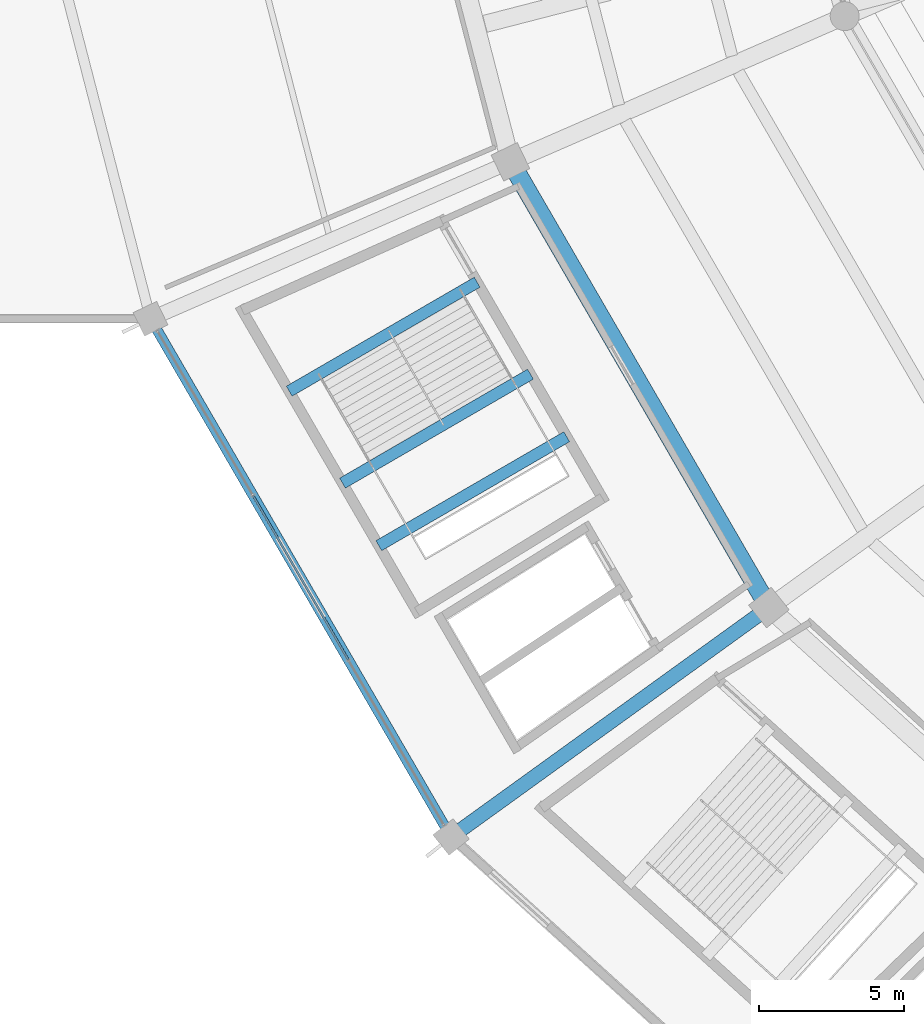
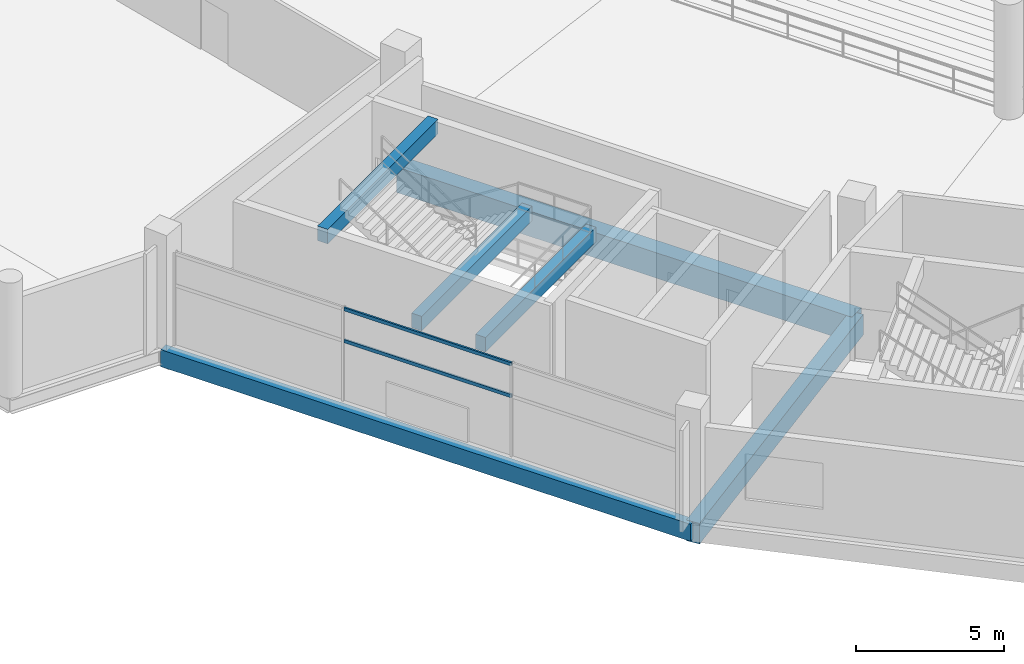
# One storey, part 8 of 156: 6 beams, 2 members, 1 element without a shape of its own.
"""IFC4 building model written with IfcOpenShell, lengths in metres."""

from ifc_helpers import new_model, si_unit, direction, frame, origin, origin_2d, place, context, subcontext, project, spatial, rectangle, hollow_rectangle, extrude, material, layer, layer_set, material_profile, profile_set, type_object, element, aggregate, save


model = new_model("IFC4")

# Units and contexts
model_context = context("Model", 3, precision=1e-05, world=origin(), true_north=direction((0.0, 1.0)))
body_context = subcontext(model_context, "Body", "Model", "MODEL_VIEW")
ifc_project = project(units=[si_unit("LENGTHUNIT", "METRE"), si_unit("AREAUNIT", "SQUARE_METRE"), si_unit("VOLUMEUNIT", "CUBIC_METRE"), si_unit("PLANEANGLEUNIT", "RADIAN"), si_unit("MASSUNIT", "GRAM", prefix="KILO")], contexts=[model_context])

# Site, building, storey
site_placement = place(None, origin())
site = spatial("IfcSite", under=ifc_project, at=site_placement, CompositionType="ELEMENT")
building_placement = place(site_placement, origin())
building = spatial("IfcBuilding", under=site, at=building_placement, Name="Kazemori Nagisa Stadium", CompositionType="ELEMENT")
storey_placement = place(building_placement, frame((0.0, 0.0, 5.780029296875)))
storey = spatial("IfcBuildingStorey", under=building, at=storey_placement, Name="L01", CompositionType="ELEMENT", Elevation=5.780029296875)

# Beams
ifc_material_1 = material(Name="Concrete C40/50 (Fc42)", Category="concrete")
ifc_material_profile_1 = material_profile(ifc_material_1, rectangle(XDim=0.39990234375, YDim=0.60009765625, at=origin_2d()), Name="RC-BM-400x600")
ifc_profile_set_1 = profile_set([ifc_material_profile_1], Name="Concrete C40/50 (Fc42)")
beam_type_1 = type_object("IfcBeamType", Name="Beam_BG-LND400X600", PredefinedType="BEAM", material=ifc_profile_set_1)
beam_1_placement = place(storey_placement, frame((47.251708984375, 61.33544921875, 1.8798828125), z_axis=(-0.865094639125, -0.501608677514, 0.0), x_axis=(0.501608677514, -0.865094639125, 0.0)))
element("IfcBeam", 1, at=beam_1_placement, inside=storey, type_object=beam_type_1, Name="Core stair mid-landing girder ST09-L01-1", PredefinedType="BEAM", context=body_context, shape_type="SweptSolid", body=[
    extrude(rectangle(XDim=0.39990234375, YDim=0.60009765625, at=origin_2d()), origin(), (0.0, 0.0, 1.0), 7.513916015625),
])
for number, where, z_axis, x_axis, name in (
    (2, (48.505615234375, 59.172607421875, 1.8798828125), (-0.865100563486, -0.501598459981, 0.0), (0.501598459981, -0.865100563486, 0.0), "Core stair mid-landing girder ST09-L01-2"),
    (3, (45.408203125, 64.5146484375, 4.199951171875), (-0.865086463473, -0.50162277731, 0.0), (0.50162277731, -0.865086463473, 0.0), "Core stair arrival header girder ST09-L01"),
):
    element("IfcBeam", number, at=place(storey_placement, frame(where, z_axis=z_axis, x_axis=x_axis)), inside=storey, type_object=beam_type_1, Name=name, PredefinedType="BEAM", context=body_context, shape_type="SweptSolid", body=[
        extrude(rectangle(XDim=0.39990234375, YDim=0.60009765625, at=origin_2d()), origin(), (0.0, 0.0, 1.0), 7.513671875),
    ])
ifc_material_profile_2 = material_profile(ifc_material_1, rectangle(XDim=0.5, YDim=0.85009765625, at=origin_2d()), Name="RC-BM-500x850")
ifc_profile_set_2 = profile_set([ifc_material_profile_2], Name="Concrete C40/50 (Fc42)")
beam_type_2 = type_object("IfcBeamType", Name="Beam_BG-RC500X850", PredefinedType="BEAM", material=ifc_profile_set_2)
beam_2_placement = place(storey_placement, frame((55.493896484375, 53.265869140625, -0.705078125), z_axis=(-0.810787509935, -0.585340596349, 0.0), x_axis=(0.585340596349, -0.810787509935, 0.0)))
element("IfcBeam", 4, at=beam_2_placement, inside=storey, type_object=beam_type_2, Name="Radial girder BG-RC500X850 L01 R2-R3-18", PredefinedType="BEAM", context=body_context, shape_type="SweptSolid", body=[
    extrude(rectangle(XDim=0.5, YDim=0.85009765625, at=origin_2d()), origin(), (0.0, 0.0, 1.0), 13.5537109375),
])
ifc_material_profile_3 = material_profile(ifc_material_1, rectangle(XDim=0.64990234375, YDim=1.050048828125, at=origin_2d()), Name="RC-BM-650x1050")
ifc_profile_set_3 = profile_set([ifc_material_profile_3], Name="Concrete C40/50 (Fc42)")
beam_type_3 = type_object("IfcBeamType", Name="Beam_BG-RC650X1050", PredefinedType="BEAM", material=ifc_profile_set_3)
beam_3_placement = place(storey_placement, frame((46.55908203125, 68.67529296875, -0.804931640625), z_axis=(0.501606704589, -0.865095783085, 0.0), x_axis=(0.865095783085, 0.501606704589, 0.0)))
element("IfcBeam", 5, at=beam_3_placement, inside=storey, type_object=beam_type_3, Name="Ring girder BG-RC650X1050 L01 R2-17", PredefinedType="BEAM", context=body_context, shape_type="SweptSolid", body=[
    extrude(rectangle(XDim=0.64990234375, YDim=1.050048828125, at=origin_2d()), origin(), (0.0, 0.0, 1.0), 17.8125),
])
ifc_material_profile_4 = material_profile(ifc_material_1, rectangle(XDim=0.35009765625, YDim=0.699951171875, at=origin_2d()), Name="RC-SP-350x700")
ifc_profile_set_4 = profile_set([ifc_material_profile_4], Name="Concrete C40/50 (Fc42)")
beam_type_4 = type_object("IfcBeamType", Name="Beam_BS-RC350X700", PredefinedType="SPANDREL", material=ifc_profile_set_4)
beam_4_placement = place(storey_placement, frame((34.114990234375, 63.25048828125, -0.630126953125), z_axis=(0.50161277459, -0.8650922635, 0.0), x_axis=(0.8650922635, 0.50161277459, 0.0)))
element("IfcBeam", 6, at=beam_4_placement, inside=storey, type_object=beam_type_4, Name="Ring girder BS-RC350X700 L01 R3-17", PredefinedType="SPANDREL", context=body_context, shape_type="SweptSolid", body=[
    extrude(rectangle(XDim=0.35009765625, YDim=0.699951171875, at=origin_2d()), origin(), (0.0, 0.0, 1.0), 20.71240234375),
])

# Curtain wall, members
ifc_material_2 = material(Name="Anodised aluminium 6063-T5", Category="aluminium")
ifc_layer = layer(ifc_material_2, 0.179931640625, Name="Anodised aluminium 6063-T5", Category="aluminium")
ifc_layer_set = layer_set([ifc_layer], Name="Anodised aluminium 6063-T5")
curtain_wall_type = type_object("IfcCurtainWallType", Name="CW_L01R3_99", PredefinedType="USERDEFINED", material=ifc_layer_set)
curtain_wall_placement = place(storey_placement, origin())
curtain_wall = element("IfcCurtainWall", 7, at=curtain_wall_placement, inside=storey, type_object=curtain_wall_type, Name="Unitised curtain wall CW-L01R3-99 L01", ObjectType="UNITISED CURTAIN WALL", PredefinedType="USERDEFINED")
ifc_material_3 = material(Name="Aluminium 6063-T5 anodised", Category="aluminium")
ifc_material_profile_5 = material_profile(ifc_material_3, hollow_rectangle(XDim=0.070068359375, YDim=0.139892578125, WallThickness=0.00390625, at=origin_2d()), Name="ALU-TRAN-70x140x4")
ifc_profile_set_5 = profile_set([ifc_material_profile_5], Name="Aluminium 6063-T5 anodised")
member_type = type_object("IfcMemberType", Name="Transom_T01", PredefinedType="USERDEFINED", material=ifc_profile_set_5)
member_1_placement = place(storey_placement, frame((37.667724609375, 57.12353515625, 2.4638671875), z_axis=(0.501590295943, -0.865105297069, 0.0), x_axis=(0.865105297069, 0.501590295943, 0.0)))
member_1 = element("IfcMember", 8, at=member_1_placement, type_object=member_type, Name="Curtain wall transom CW-L01R3-99-T2-mid", ObjectType="TRANSOM", PredefinedType="USERDEFINED", context=body_context, shape_type="SweptSolid", body=[
    extrude(hollow_rectangle(XDim=0.070068359375, YDim=0.139892578125, WallThickness=0.00390625, at=origin_2d()), origin(), (0.0, 0.0, 1.0), 6.547607421875),
])
member_2_placement = place(storey_placement, frame((37.667724609375, 57.12353515625, 3.780029296875), z_axis=(0.501590295943, -0.865105297069, 0.0), x_axis=(0.865105297069, 0.501590295943, 0.0)))
member_2 = element("IfcMember", 9, at=member_2_placement, type_object=member_type, Name="Curtain wall transom CW-L01R3-99-T2-head", ObjectType="TRANSOM", PredefinedType="USERDEFINED", context=body_context, shape_type="SweptSolid", body=[
    extrude(hollow_rectangle(XDim=0.070068359375, YDim=0.139892578125, WallThickness=0.00390625, at=origin_2d()), origin(), (0.0, 0.0, 1.0), 6.547607421875),
])
aggregate(curtain_wall, [member_1, member_2])

save(model, "model.ifc")
